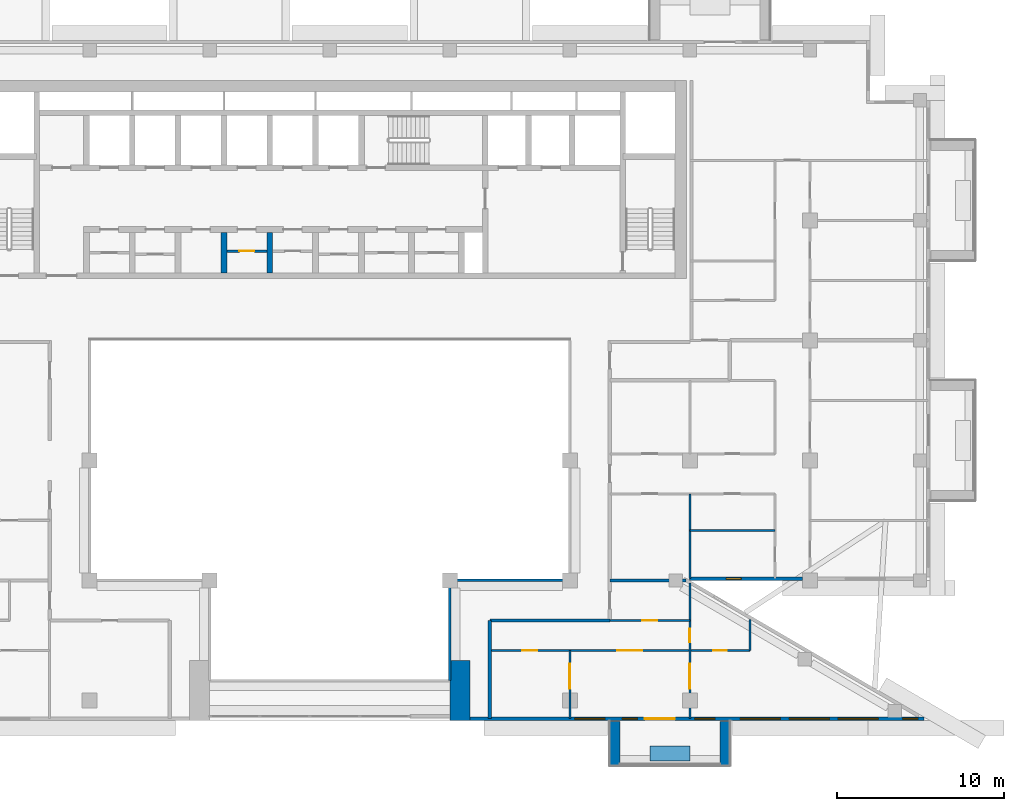
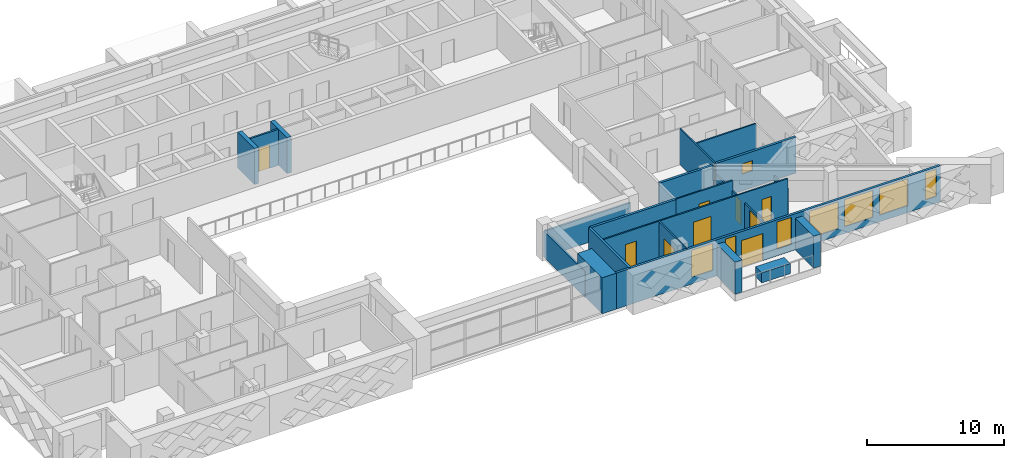
# One storey, part 8 of 20: 21 walls, 9 doors, 8 windows, 17 openings.
"""IFC4 building model written with IfcOpenShell, lengths in metres."""

from ifc_helpers import new_model, si_unit, direction, frame, frame_2d, origin, place, context, subcontext, project, spatial, rectangle, extrude, material, layer, layer_set, type_object, element, fill, save


model = new_model("IFC4")

# Units and contexts
model_context = context("Model", 3, precision=1e-05, world=origin(), true_north=direction((0.0, 1.0)))
body_context = subcontext(model_context, "Body", "Model", "MODEL_VIEW")
ifc_project = project(units=[si_unit("LENGTHUNIT", "METRE"), si_unit("AREAUNIT", "SQUARE_METRE"), si_unit("VOLUMEUNIT", "CUBIC_METRE"), si_unit("PLANEANGLEUNIT", "RADIAN"), si_unit("MASSUNIT", "GRAM", prefix="KILO")], contexts=[model_context])

# Site, building, storey
site_placement = place(None, origin())
site = spatial("IfcSite", under=ifc_project, at=site_placement, CompositionType="ELEMENT")
building_placement = place(site_placement, origin())
building = spatial("IfcBuilding", under=site, at=building_placement, Name="Saffron Iwan Residences", CompositionType="ELEMENT")
storey_placement = place(building_placement, frame((0.0, 0.0, 185.0)))
storey = spatial("IfcBuildingStorey", under=building, at=storey_placement, Name="L49", CompositionType="ELEMENT", Elevation=185.0)

# Walls
ifc_material_1 = material(Name="Fire-rated glazing", Category="glass")
ifc_layer_1 = layer(ifc_material_1, 0.14990234375)
ifc_layer_set_1 = layer_set([ifc_layer_1], Name="Fire-rated glazing")
wall_type_1 = type_object("IfcWallType", Name="Atrium glazed screen 150", PredefinedType="SOLIDWALL", material=ifc_layer_set_1)
wall_1_placement = place(storey_placement, frame((57.60009765625, 48.0, 0.0), z_axis=(0.0, 0.0, 1.0), x_axis=(1.0, 0.0, 0.0)))
element("IfcWall", 1, at=wall_1_placement, inside=storey, type_object=wall_type_1, Name="W-L49-SCREEN-h48-57.6", PredefinedType="SOLIDWALL", context=body_context, shape_type="SweptSolid", body=[
    extrude(rectangle(XDim=7.199951171875, YDim=0.14990234375, at=frame_2d((3.60009765625, 0.0))), origin(), (0.0, 0.0, 1.0), 2.300048828125),
])
wall_2_placement = place(storey_placement, frame((57.60009765625, 42.0, 0.0), z_axis=(0.0, 0.0, 1.0), x_axis=(0.0, 1.0, 0.0)))
element("IfcWall", 2, at=wall_2_placement, inside=storey, type_object=wall_type_1, Name="W-L49-SCREEN-v57.6-42", PredefinedType="SOLIDWALL", context=body_context, shape_type="SweptSolid", body=[
    extrude(rectangle(XDim=6.0, YDim=0.14990234375, at=frame_2d((3.0, 0.0))), origin(), (0.0, 0.0, 1.0), 2.300048828125),
])
ifc_material_2 = material(Name="Concrete C50/60 white painted", Category="concrete")
ifc_layer_2 = layer(ifc_material_2, 0.60009765625)
ifc_layer_set_2 = layer_set([ifc_layer_2], Name="Concrete C50/60 white painted")
wall_type_2 = type_object("IfcWallType", Name="BALCONY FIN 600", PredefinedType="SOLIDWALL", material=ifc_layer_set_2)
for number, where, z_axis, x_axis, name in (
    (3, (67.5, 39.550048828125, 0.0), (0.0, 0.0, 1.0), (0.0, -1.0, 0.0), "Balcony fin L49 11-1a"),
    (4, (74.10009765625, 39.550048828125, 0.0), (0.0, 0.0, 1.0), (0.0, -1.0, 0.0), "Balcony fin L49 11-1b"),
):
    element("IfcWall", number, at=place(storey_placement, frame(where, z_axis=z_axis, x_axis=x_axis)), inside=storey, type_object=wall_type_2, Name=name, PredefinedType="SOLIDWALL", context=body_context, shape_type="SweptSolid", body=[
        extrude(rectangle(XDim=2.650146484375, YDim=0.60009765625, at=frame_2d((1.3251953125, 0.0))), origin(), (0.0, 0.0, 1.0), 2.85009765625),
    ])
ifc_material_3 = material(Name="Concrete C35/45 white painted", Category="concrete")
ifc_layer_3 = layer(ifc_material_3, 0.14990234375)
ifc_layer_set_3 = layer_set([ifc_layer_3], Name="Concrete C35/45 white painted")
wall_type_3 = type_object("IfcWallType", Name="BALCONY PLANTER", PredefinedType="SOLIDWALL", material=ifc_layer_set_3)
wall_3_placement = place(storey_placement, frame((69.60009765625, 37.625, 0.0), z_axis=(0.0, 0.0, 1.0), x_axis=(1.0, 0.0, 0.0)))
element("IfcWall", 5, at=wall_3_placement, inside=storey, type_object=wall_type_3, Name="PLANTER L49 11-1", PredefinedType="SOLIDWALL", context=body_context, shape_type="SweptSolid", body=[
    extrude(rectangle(XDim=2.39990234375, YDim=0.89990234375, at=frame_2d((1.199951171875, 0.0))), origin(), (0.0, 0.0, 1.0), 0.89990234375),
])

# Wall, opening, door
ifc_material_4 = material(Name="Fire-rated plasterboard partition")
ifc_layer_4 = layer(ifc_material_4, 0.14990234375)
ifc_layer_set_4 = layer_set([ifc_layer_4], Name="Fire-rated plasterboard partition")
wall_type_4 = type_object("IfcWallType", Name="Core partition 150", PredefinedType="PARTITIONING", material=ifc_layer_set_4)
wall_4_placement = place(storey_placement, frame((44.22509765625, 67.759521484375, 0.0), z_axis=(0.0, 0.0, 1.0), x_axis=(1.0, 0.0, 0.0)))
wall_4 = element("IfcWall", 6, at=wall_4_placement, inside=storey, type_object=wall_type_4, Name="Core partition P03", PredefinedType="PARTITIONING", context=body_context, shape_type="SweptSolid", body=[
    extrude(rectangle(XDim=2.39990234375, YDim=0.14990234375, at=frame_2d((1.199951171875, 0.0))), origin(), (0.0, 0.0, 1.0), 3.199951171875),
])
opening_1_placement = place(wall_4_placement, frame((0.75, 0.0, 0.0)))
opening_1 = element("IfcOpeningElement", 7, at=opening_1_placement, cuts=wall_4, Name="Opening SB", PredefinedType="OPENING", context=body_context, shape_type="SweptSolid", body=[
    extrude(rectangle(XDim=0.89990234375, YDim=2.10009765625, at=frame_2d((0.449951171875, 1.050048828125))), frame((0.0, 0.0849609375, 0.0), z_axis=(0.0, -1.0, 0.0), x_axis=(1.0, 0.0, 0.0)), (0.0, 0.0, 1.0), 0.169921875),
])
ifc_material_5 = material(Name="Steel fire door", Category="steel")
door_type_1 = type_object("IfcDoorType", Name="Store door 900", OperationType="NOTDEFINED", PredefinedType="DOOR", material=ifc_material_5)
door_1_placement = place(opening_1_placement, origin())
door_1 = element("IfcDoor", 8, at=door_1_placement, inside=storey, type_object=door_type_1, Name="Door Records store", OperationType="SINGLE_SWING_RIGHT", OverallHeight=2.10009765625, OverallWidth=0.89990234375, PredefinedType="DOOR", context=body_context, shape_type="SweptSolid", body=[
    extrude(rectangle(XDim=0.89990234375, YDim=2.10009765625, at=frame_2d((0.449951171875, 1.050048828125))), frame((0.0, 0.02490234375, 0.0), z_axis=(0.0, -1.0, 0.0), x_axis=(1.0, 0.0, 0.0)), (0.0, 0.0, 1.0), 0.050048828125),
])
fill(opening_1, door_1)

# Wall, opening, window
ifc_material_6 = material(Name="Concrete C40/50", Category="concrete")
ifc_layer_5 = layer(ifc_material_6, 0.199951171875)
ifc_layer_set_5 = layer_set([ifc_layer_5], Name="Concrete C40/50")
wall_type_5 = type_object("IfcWallType", Name="EXTERNAL WALL 200", PredefinedType="SOLIDWALL", material=ifc_layer_set_5)
wall_5_placement = place(storey_placement, frame((71.989990234375, 48.10009765625, 0.0), z_axis=(0.0, 0.0, 1.0), x_axis=(1.0, 0.0, 0.0)))
wall_5 = element("IfcWall", 9, at=wall_5_placement, inside=storey, type_object=wall_type_5, Name="External wall L49 F1.0", PredefinedType="SOLIDWALL", context=body_context, shape_type="SweptSolid", body=[
    extrude(rectangle(XDim=6.760009765625, YDim=0.199951171875, at=frame_2d((3.3798828125, 0.0))), origin(), (0.0, 0.0, 1.0), 3.199951171875),
])
opening_2_placement = place(wall_5_placement, frame((2.204833984375, 0.0, 1.5)))
opening_2 = element("IfcOpeningElement", 10, at=opening_2_placement, cuts=wall_5, Name="Opening W6", PredefinedType="OPENING", context=body_context, shape_type="SweptSolid", body=[
    extrude(rectangle(XDim=0.89990234375, YDim=0.89990234375, at=frame_2d((0.449951171875, 0.449951171875))), frame((0.0, 0.10986328125, 0.0), z_axis=(0.0, -1.0, 0.0), x_axis=(1.0, 0.0, 0.0)), (0.0, 0.0, 1.0), 0.219970703125),
])
ifc_material_7 = material(Name="Clear glass, laminated double glazed", Category="glass")
window_type_1 = type_object("IfcWindowType", Name="WINDOW 900 x 900 BATH", PartitioningType="SINGLE_PANEL", PredefinedType="WINDOW", material=ifc_material_7)
window_1_placement = place(opening_2_placement, origin())
window_1 = element("IfcWindow", 11, at=window_1_placement, inside=storey, type_object=window_type_1, Name="Window L49 F1.0", OverallHeight=0.89990234375, OverallWidth=0.89990234375, PartitioningType="SINGLE_PANEL", PredefinedType="WINDOW", context=body_context, shape_type="SweptSolid", body=[
    extrude(rectangle(XDim=0.89990234375, YDim=0.89990234375, at=frame_2d((0.449951171875, 0.449951171875))), frame((0.0, 0.030029296875, 0.0), z_axis=(0.0, -1.0, 0.0), x_axis=(1.0, 0.0, 0.0)), (0.0, 0.0, 1.0), 0.06005859375),
])
fill(opening_2, window_1)

# Wall, openings, door, windows
wall_6_placement = place(storey_placement, frame((58.800048828125, 39.699951171875, 0.0), z_axis=(0.0, 0.0, 1.0), x_axis=(1.0, 0.0, 0.0)))
wall_6 = element("IfcWall", 12, at=wall_6_placement, inside=storey, type_object=wall_type_5, Name="External wall L49 F11.1", PredefinedType="SOLIDWALL", context=body_context, shape_type="SweptSolid", body=[
    extrude(rectangle(XDim=27.22998046875, YDim=0.199951171875, at=frame_2d((13.614990234375, 0.0))), origin(), (0.0, 0.0, 1.0), 3.199951171875),
])
opening_3_placement = place(wall_6_placement, frame((10.5, 0.0, 0.0)))
opening_3 = element("IfcOpeningElement", 13, at=opening_3_placement, cuts=wall_6, Name="Opening BD1", PredefinedType="OPENING", context=body_context, shape_type="SweptSolid", body=[
    extrude(rectangle(XDim=1.800048828125, YDim=2.39990234375, at=frame_2d((0.89990234375, 1.199951171875))), frame((0.0, 0.10986328125, 0.0), z_axis=(0.0, -1.0, 0.0), x_axis=(1.0, 0.0, 0.0)), (0.0, 0.0, 1.0), 0.219970703125),
])
opening_4_placement = place(wall_6_placement, frame((6.300048828125, 0.0, 0.60009765625)))
opening_4 = element("IfcOpeningElement", 14, at=opening_4_placement, cuts=wall_6, Name="Opening W8", PredefinedType="OPENING", context=body_context, shape_type="SweptSolid", body=[
    extrude(rectangle(XDim=1.800048828125, YDim=2.39990234375, at=frame_2d((0.89990234375, 1.199951171875))), frame((0.0, 0.10986328125, 0.0), z_axis=(0.0, -1.0, 0.0), x_axis=(1.0, 0.0, 0.0)), (0.0, 0.0, 1.0), 0.219970703125),
])
opening_5_placement = place(wall_6_placement, frame((9.14990234375, 0.0, 0.60009765625)))
opening_5 = element("IfcOpeningElement", 15, at=opening_5_placement, cuts=wall_6, Name="Opening W10", PredefinedType="OPENING", context=body_context, shape_type="SweptSolid", body=[
    extrude(rectangle(XDim=0.89990234375, YDim=2.39990234375, at=frame_2d((0.449951171875, 1.199951171875))), frame((0.0, 0.10986328125, 0.0), z_axis=(0.0, -1.0, 0.0), x_axis=(1.0, 0.0, 0.0)), (0.0, 0.0, 1.0), 0.219970703125),
])
opening_6_placement = place(wall_6_placement, frame((13.5, 0.0, 0.60009765625)))
opening_6 = element("IfcOpeningElement", 16, at=opening_6_placement, cuts=wall_6, Name="Opening W3", PredefinedType="OPENING", context=body_context, shape_type="SweptSolid", body=[
    extrude(rectangle(XDim=1.199951171875, YDim=2.39990234375, at=frame_2d((0.60009765625, 1.199951171875))), frame((0.0, 0.10986328125, 0.0), z_axis=(0.0, -1.0, 0.0), x_axis=(1.0, 0.0, 0.0)), (0.0, 0.0, 1.0), 0.219970703125),
])
opening_7_placement = place(wall_6_placement, frame((16.2314453125, 0.0, 0.60009765625)))
opening_7 = element("IfcOpeningElement", 17, at=opening_7_placement, cuts=wall_6, Name="Opening W1", PredefinedType="OPENING", context=body_context, shape_type="SweptSolid", body=[
    extrude(rectangle(XDim=2.39990234375, YDim=2.39990234375, at=frame_2d((1.199951171875, 1.199951171875))), frame((0.0, 0.10986328125, 0.0), z_axis=(0.0, -1.0, 0.0), x_axis=(1.0, 0.0, 0.0)), (0.0, 0.0, 1.0), 0.219970703125),
])
opening_8_placement = place(wall_6_placement, frame((19.1630859375, 0.0, 0.60009765625)))
opening_8 = element("IfcOpeningElement", 18, at=opening_8_placement, cuts=wall_6, Name="Opening W1", PredefinedType="OPENING", context=body_context, shape_type="SweptSolid", body=[
    extrude(rectangle(XDim=2.39990234375, YDim=2.39990234375, at=frame_2d((1.199951171875, 1.199951171875))), frame((0.0, 0.10986328125, 0.0), z_axis=(0.0, -1.0, 0.0), x_axis=(1.0, 0.0, 0.0)), (0.0, 0.0, 1.0), 0.219970703125),
])
opening_9_placement = place(wall_6_placement, frame((22.094482421875, 0.0, 0.60009765625)))
opening_9 = element("IfcOpeningElement", 19, at=opening_9_placement, cuts=wall_6, Name="Opening W1", PredefinedType="OPENING", context=body_context, shape_type="SweptSolid", body=[
    extrude(rectangle(XDim=2.39990234375, YDim=2.39990234375, at=frame_2d((1.199951171875, 1.199951171875))), frame((0.0, 0.10986328125, 0.0), z_axis=(0.0, -1.0, 0.0), x_axis=(1.0, 0.0, 0.0)), (0.0, 0.0, 1.0), 0.219970703125),
])
opening_10_placement = place(wall_6_placement, frame((25.978271484375, 0.0, 0.60009765625)))
opening_10 = element("IfcOpeningElement", 20, at=opening_10_placement, cuts=wall_6, Name="Opening W10", PredefinedType="OPENING", context=body_context, shape_type="SweptSolid", body=[
    extrude(rectangle(XDim=0.89990234375, YDim=2.39990234375, at=frame_2d((0.449951171875, 1.199951171875))), frame((0.0, 0.10986328125, 0.0), z_axis=(0.0, -1.0, 0.0), x_axis=(1.0, 0.0, 0.0)), (0.0, 0.0, 1.0), 0.219970703125),
])
door_type_2 = type_object("IfcDoorType", Name="BALCONY DOOR 1800 x 2400", OperationType="DOUBLE_DOOR_SLIDING", PredefinedType="DOOR", material=ifc_material_7)
door_2_placement = place(opening_3_placement, origin())
door_2 = element("IfcDoor", 21, at=door_2_placement, inside=storey, type_object=door_type_2, Name="Balcony door L49 F11.0", OperationType="DOUBLE_DOOR_SLIDING", OverallHeight=2.39990234375, OverallWidth=1.800048828125, PredefinedType="DOOR", context=body_context, shape_type="SweptSolid", body=[
    extrude(rectangle(XDim=1.800048828125, YDim=2.39990234375, at=frame_2d((0.89990234375, 1.199951171875))), frame((0.0, 0.02490234375, 0.0), z_axis=(0.0, -1.0, 0.0), x_axis=(1.0, 0.0, 0.0)), (0.0, 0.0, 1.0), 0.050048828125),
])
fill(opening_3, door_2)
window_type_2 = type_object("IfcWindowType", Name="WINDOW 1200 x 2400", PartitioningType="SINGLE_PANEL", PredefinedType="WINDOW", material=ifc_material_7)
window_2_placement = place(opening_6_placement, origin())
window_2 = element("IfcWindow", 22, at=window_2_placement, inside=storey, type_object=window_type_2, Name="Window L49 F11.3", OverallHeight=2.39990234375, OverallWidth=1.199951171875, PartitioningType="SINGLE_PANEL", PredefinedType="WINDOW", context=body_context, shape_type="SweptSolid", body=[
    extrude(rectangle(XDim=1.199951171875, YDim=2.39990234375, at=frame_2d((0.60009765625, 1.199951171875))), frame((0.0, 0.030029296875, 0.0), z_axis=(0.0, -1.0, 0.0), x_axis=(1.0, 0.0, 0.0)), (0.0, 0.0, 1.0), 0.06005859375),
])
fill(opening_6, window_2)
window_type_3 = type_object("IfcWindowType", Name="WINDOW 1800 x 2400", PartitioningType="DOUBLE_PANEL_VERTICAL", PredefinedType="WINDOW", material=ifc_material_7)
window_3_placement = place(opening_4_placement, origin())
window_3 = element("IfcWindow", 23, at=window_3_placement, inside=storey, type_object=window_type_3, Name="Window L49 F11.1", OverallHeight=2.39990234375, OverallWidth=1.800048828125, PartitioningType="DOUBLE_PANEL_VERTICAL", PredefinedType="WINDOW", context=body_context, shape_type="SweptSolid", body=[
    extrude(rectangle(XDim=1.800048828125, YDim=2.39990234375, at=frame_2d((0.89990234375, 1.199951171875))), frame((0.0, 0.030029296875, 0.0), z_axis=(0.0, -1.0, 0.0), x_axis=(1.0, 0.0, 0.0)), (0.0, 0.0, 1.0), 0.06005859375),
])
fill(opening_4, window_3)
window_type_4 = type_object("IfcWindowType", Name="WINDOW 2400 x 2400", PartitioningType="DOUBLE_PANEL_VERTICAL", PredefinedType="WINDOW", material=ifc_material_7)
window_4_placement = place(opening_7_placement, origin())
window_4 = element("IfcWindow", 24, at=window_4_placement, inside=storey, type_object=window_type_4, Name="Window L49 F11.4", OverallHeight=2.39990234375, OverallWidth=2.39990234375, PartitioningType="DOUBLE_PANEL_VERTICAL", PredefinedType="WINDOW", context=body_context, shape_type="SweptSolid", body=[
    extrude(rectangle(XDim=2.39990234375, YDim=2.39990234375, at=frame_2d((1.199951171875, 1.199951171875))), frame((0.0, 0.030029296875, 0.0), z_axis=(0.0, -1.0, 0.0), x_axis=(1.0, 0.0, 0.0)), (0.0, 0.0, 1.0), 0.06005859375),
])
fill(opening_7, window_4)
window_5_placement = place(opening_8_placement, origin())
window_5 = element("IfcWindow", 25, at=window_5_placement, inside=storey, type_object=window_type_4, Name="Window L49 F11.5", OverallHeight=2.39990234375, OverallWidth=2.39990234375, PartitioningType="DOUBLE_PANEL_VERTICAL", PredefinedType="WINDOW", context=body_context, shape_type="SweptSolid", body=[
    extrude(rectangle(XDim=2.39990234375, YDim=2.39990234375, at=frame_2d((1.199951171875, 1.199951171875))), frame((0.0, 0.030029296875, 0.0), z_axis=(0.0, -1.0, 0.0), x_axis=(1.0, 0.0, 0.0)), (0.0, 0.0, 1.0), 0.06005859375),
])
fill(opening_8, window_5)
window_6_placement = place(opening_9_placement, origin())
window_6 = element("IfcWindow", 26, at=window_6_placement, inside=storey, type_object=window_type_4, Name="Window L49 F11.6", OverallHeight=2.39990234375, OverallWidth=2.39990234375, PartitioningType="DOUBLE_PANEL_VERTICAL", PredefinedType="WINDOW", context=body_context, shape_type="SweptSolid", body=[
    extrude(rectangle(XDim=2.39990234375, YDim=2.39990234375, at=frame_2d((1.199951171875, 1.199951171875))), frame((0.0, 0.030029296875, 0.0), z_axis=(0.0, -1.0, 0.0), x_axis=(1.0, 0.0, 0.0)), (0.0, 0.0, 1.0), 0.06005859375),
])
fill(opening_9, window_6)
window_type_5 = type_object("IfcWindowType", Name="WINDOW 900 x 2400", PartitioningType="SINGLE_PANEL", PredefinedType="WINDOW", material=ifc_material_7)
window_7_placement = place(opening_5_placement, origin())
window_7 = element("IfcWindow", 27, at=window_7_placement, inside=storey, type_object=window_type_5, Name="Window L49 F11.2", OverallHeight=2.39990234375, OverallWidth=0.89990234375, PartitioningType="SINGLE_PANEL", PredefinedType="WINDOW", context=body_context, shape_type="SweptSolid", body=[
    extrude(rectangle(XDim=0.89990234375, YDim=2.39990234375, at=frame_2d((0.449951171875, 1.199951171875))), frame((0.0, 0.030029296875, 0.0), z_axis=(0.0, -1.0, 0.0), x_axis=(1.0, 0.0, 0.0)), (0.0, 0.0, 1.0), 0.06005859375),
])
fill(opening_5, window_7)
window_8_placement = place(opening_10_placement, origin())
window_8 = element("IfcWindow", 28, at=window_8_placement, inside=storey, type_object=window_type_5, Name="Window L49 F11.7", OverallHeight=2.39990234375, OverallWidth=0.89990234375, PartitioningType="SINGLE_PANEL", PredefinedType="WINDOW", context=body_context, shape_type="SweptSolid", body=[
    extrude(rectangle(XDim=0.89990234375, YDim=2.39990234375, at=frame_2d((0.449951171875, 1.199951171875))), frame((0.0, 0.030029296875, 0.0), z_axis=(0.0, -1.0, 0.0), x_axis=(1.0, 0.0, 0.0)), (0.0, 0.0, 1.0), 0.06005859375),
])
fill(opening_10, window_8)

# Wall
ifc_material_8 = material(Name="Fire-rated gypsum board wall")
ifc_layer_6 = layer(ifc_material_8, 0.199951171875)
ifc_layer_set_6 = layer_set([ifc_layer_6], Name="Fire-rated gypsum board wall")
wall_type_6 = type_object("IfcWallType", Name="Flat demising wall 200", PredefinedType="SOLIDWALL", material=ifc_layer_set_6)
wall_7_placement = place(storey_placement, frame((67.199951171875, 48.0, 0.0), z_axis=(0.0, 0.0, 1.0), x_axis=(1.0, 0.0, 0.0)))
element("IfcWall", 29, at=wall_7_placement, inside=storey, type_object=wall_type_6, Name="W-L49-DEMISE-h48-67.2", PredefinedType="SOLIDWALL", context=body_context, shape_type="SweptSolid", body=[
    extrude(rectangle(XDim=4.552001953125, YDim=0.199951171875, at=frame_2d((2.27587890625, 0.0))), origin(), (0.0, 0.0, 1.0), 3.199951171875),
])

# Wall, openings, doors
ifc_material_9 = material(Name="Gypsum board partition")
ifc_layer_7 = layer(ifc_material_9, 0.1201171875)
ifc_layer_set_7 = layer_set([ifc_layer_7], Name="Gypsum board partition")
wall_type_7 = type_object("IfcWallType", Name="Flat partition 120", PredefinedType="PARTITIONING", material=ifc_layer_set_7)
wall_8_placement = place(storey_placement, frame((60.0, 43.800048828125, 0.0), z_axis=(0.0, 0.0, 1.0), x_axis=(1.0, 0.0, 0.0)))
wall_8 = element("IfcWall", 30, at=wall_8_placement, inside=storey, type_object=wall_type_7, Name="W-L49-PART-h43.8-60", PredefinedType="PARTITIONING", context=body_context, shape_type="SweptSolid", body=[
    extrude(rectangle(XDim=15.60009765625, YDim=0.1201171875, at=frame_2d((7.800048828125, 0.0))), origin(), (0.0, 0.0, 1.0), 3.199951171875),
])
opening_11_placement = place(wall_8_placement, frame((7.64990234375, 0.0, 0.0)))
opening_11 = element("IfcOpeningElement", 31, at=opening_11_placement, cuts=wall_8, Name="Opening FD4", PredefinedType="OPENING", context=body_context, shape_type="SweptSolid", body=[
    extrude(rectangle(XDim=1.5, YDim=2.10009765625, at=frame_2d((0.75, 1.050048828125))), frame((0.0, 0.070068359375, 0.0), z_axis=(0.0, -1.0, 0.0), x_axis=(1.0, 0.0, 0.0)), (0.0, 0.0, 1.0), 0.14013671875),
])
opening_12_placement = place(wall_8_placement, frame((1.949951171875, 0.0, 0.0)))
opening_12 = element("IfcOpeningElement", 32, at=opening_12_placement, cuts=wall_8, Name="Opening FD2", PredefinedType="OPENING", context=body_context, shape_type="SweptSolid", body=[
    extrude(rectangle(XDim=0.89990234375, YDim=2.10009765625, at=frame_2d((0.449951171875, 1.050048828125))), frame((0.0, 0.070068359375, 0.0), z_axis=(0.0, -1.0, 0.0), x_axis=(1.0, 0.0, 0.0)), (0.0, 0.0, 1.0), 0.14013671875),
])
opening_13_placement = place(wall_8_placement, frame((13.39990234375, 0.0, 0.0)))
opening_13 = element("IfcOpeningElement", 33, at=opening_13_placement, cuts=wall_8, Name="Opening FD3", PredefinedType="OPENING", context=body_context, shape_type="SweptSolid", body=[
    extrude(rectangle(XDim=0.800048828125, YDim=2.10009765625, at=frame_2d((0.39990234375, 1.050048828125))), frame((0.0, 0.070068359375, 0.0), z_axis=(0.0, -1.0, 0.0), x_axis=(1.0, 0.0, 0.0)), (0.0, 0.0, 1.0), 0.14013671875),
])
ifc_material_10 = material(Name="Timber door", Category="wood")
door_type_3 = type_object("IfcDoorType", Name="Bathroom door 800", OperationType="NOTDEFINED", PredefinedType="DOOR", material=ifc_material_10)
door_3_placement = place(opening_13_placement, origin())
door_3 = element("IfcDoor", 34, at=door_3_placement, inside=storey, type_object=door_type_3, Name="Door L49-049", OperationType="SINGLE_SWING_LEFT", OverallHeight=2.10009765625, OverallWidth=0.800048828125, PredefinedType="DOOR", context=body_context, shape_type="SweptSolid", body=[
    extrude(rectangle(XDim=0.800048828125, YDim=2.10009765625, at=frame_2d((0.39990234375, 1.050048828125))), frame((0.0, 0.02490234375, 0.0), z_axis=(0.0, -1.0, 0.0), x_axis=(1.0, 0.0, 0.0)), (0.0, 0.0, 1.0), 0.050048828125),
])
fill(opening_13, door_3)
door_type_4 = type_object("IfcDoorType", Name="Double door 1500", OperationType="NOTDEFINED", PredefinedType="DOOR", material=ifc_material_10)
door_4_placement = place(opening_11_placement, origin())
door_4 = element("IfcDoor", 35, at=door_4_placement, inside=storey, type_object=door_type_4, Name="Door L49-045", OperationType="SINGLE_SWING_RIGHT", OverallHeight=2.10009765625, OverallWidth=1.5, PredefinedType="DOOR", context=body_context, shape_type="SweptSolid", body=[
    extrude(rectangle(XDim=1.5, YDim=2.10009765625, at=frame_2d((0.75, 1.050048828125))), frame((0.0, 0.02490234375, 0.0), z_axis=(0.0, -1.0, 0.0), x_axis=(1.0, 0.0, 0.0)), (0.0, 0.0, 1.0), 0.050048828125),
])
fill(opening_11, door_4)
door_type_5 = type_object("IfcDoorType", Name="Flat door 900", OperationType="NOTDEFINED", PredefinedType="DOOR", material=ifc_material_10)
door_5_placement = place(opening_12_placement, origin())
door_5 = element("IfcDoor", 36, at=door_5_placement, inside=storey, type_object=door_type_5, Name="Door L49-046", OperationType="SINGLE_SWING_LEFT", OverallHeight=2.10009765625, OverallWidth=0.89990234375, PredefinedType="DOOR", context=body_context, shape_type="SweptSolid", body=[
    extrude(rectangle(XDim=0.89990234375, YDim=2.10009765625, at=frame_2d((0.449951171875, 1.050048828125))), frame((0.0, 0.02490234375, 0.0), z_axis=(0.0, -1.0, 0.0), x_axis=(1.0, 0.0, 0.0)), (0.0, 0.0, 1.0), 0.050048828125),
])
fill(opening_12, door_5)

# Wall, opening, door
wall_9_placement = place(storey_placement, frame((67.199951171875, 45.60009765625, 0.0), z_axis=(0.0, 0.0, 1.0), x_axis=(1.0, 0.0, 0.0)))
wall_9 = element("IfcWall", 37, at=wall_9_placement, inside=storey, type_object=wall_type_7, Name="W-L49-PART-h45.6-67.2", PredefinedType="PARTITIONING", context=body_context, shape_type="SweptSolid", body=[
    extrude(rectangle(XDim=4.800048828125, YDim=0.1201171875, at=frame_2d((2.39990234375, 0.0))), origin(), (0.0, 0.0, 1.0), 3.199951171875),
])
opening_14_placement = place(wall_9_placement, frame((1.949951171875, 0.0, 0.0)))
opening_14 = element("IfcOpeningElement", 38, at=opening_14_placement, cuts=wall_9, Name="Opening FD2", PredefinedType="OPENING", context=body_context, shape_type="SweptSolid", body=[
    extrude(rectangle(XDim=0.89990234375, YDim=2.10009765625, at=frame_2d((0.449951171875, 1.050048828125))), frame((0.0, 0.070068359375, 0.0), z_axis=(0.0, -1.0, 0.0), x_axis=(1.0, 0.0, 0.0)), (0.0, 0.0, 1.0), 0.14013671875),
])
door_6_placement = place(opening_14_placement, origin())
door_6 = element("IfcDoor", 39, at=door_6_placement, inside=storey, type_object=door_type_5, Name="Door L49-043", OperationType="SINGLE_SWING_LEFT", OverallHeight=2.10009765625, OverallWidth=0.89990234375, PredefinedType="DOOR", context=body_context, shape_type="SweptSolid", body=[
    extrude(rectangle(XDim=0.89990234375, YDim=2.10009765625, at=frame_2d((0.449951171875, 1.050048828125))), frame((0.0, 0.02490234375, 0.0), z_axis=(0.0, -1.0, 0.0), x_axis=(1.0, 0.0, 0.0)), (0.0, 0.0, 1.0), 0.050048828125),
])
fill(opening_14, door_6)

# Wall
wall_10_placement = place(storey_placement, frame((72.0, 51.0, 0.0), z_axis=(0.0, 0.0, 1.0), x_axis=(1.0, 0.0, 0.0)))
element("IfcWall", 40, at=wall_10_placement, inside=storey, type_object=wall_type_7, Name="W-L49-PART-h51-72", PredefinedType="PARTITIONING", context=body_context, shape_type="SweptSolid", body=[
    extrude(rectangle(XDim=5.10009765625, YDim=0.1201171875, at=frame_2d((2.550048828125, 0.0))), origin(), (0.0, 0.0, 1.0), 3.199951171875),
])

# Wall, opening, door
wall_11_placement = place(storey_placement, frame((64.800048828125, 39.72509765625, 0.0), z_axis=(0.0, 0.0, 1.0), x_axis=(0.0, 1.0, 0.0)))
wall_11 = element("IfcWall", 41, at=wall_11_placement, inside=storey, type_object=wall_type_7, Name="W-L49-PART-v64.8-39.725", PredefinedType="PARTITIONING", context=body_context, shape_type="SweptSolid", body=[
    extrude(rectangle(XDim=4.074951171875, YDim=0.1201171875, at=frame_2d((2.03759765625, 0.0))), origin(), (0.0, 0.0, 1.0), 3.199951171875),
])
opening_15_placement = place(wall_11_placement, frame((1.78759765625, 0.0, 0.0)))
opening_15 = element("IfcOpeningElement", 42, at=opening_15_placement, cuts=wall_11, Name="Opening FD4", PredefinedType="OPENING", context=body_context, shape_type="SweptSolid", body=[
    extrude(rectangle(XDim=1.5, YDim=2.10009765625, at=frame_2d((0.75, 1.050048828125))), frame((0.0, 0.070068359375, 0.0), z_axis=(0.0, -1.0, 0.0), x_axis=(1.0, 0.0, 0.0)), (0.0, 0.0, 1.0), 0.14013671875),
])
door_7_placement = place(opening_15_placement, origin())
door_7 = element("IfcDoor", 43, at=door_7_placement, inside=storey, type_object=door_type_4, Name="Door L49-042", OperationType="SINGLE_SWING_LEFT", OverallHeight=2.10009765625, OverallWidth=1.5, PredefinedType="DOOR", context=body_context, shape_type="SweptSolid", body=[
    extrude(rectangle(XDim=1.5, YDim=2.10009765625, at=frame_2d((0.75, 1.050048828125))), frame((0.0, 0.02490234375, 0.0), z_axis=(0.0, -1.0, 0.0), x_axis=(1.0, 0.0, 0.0)), (0.0, 0.0, 1.0), 0.050048828125),
])
fill(opening_15, door_7)

# Wall, openings, doors
wall_12_placement = place(storey_placement, frame((72.0, 39.72509765625, 0.0), z_axis=(0.0, 0.0, 1.0), x_axis=(0.0, 1.0, 0.0)))
wall_12 = element("IfcWall", 44, at=wall_12_placement, inside=storey, type_object=wall_type_7, Name="W-L49-PART-v72-39.725", PredefinedType="PARTITIONING", context=body_context, shape_type="SweptSolid", body=[
    extrude(rectangle(XDim=8.1298828125, YDim=0.1201171875, at=frame_2d((4.06494140625, 0.0))), origin(), (0.0, 0.0, 1.0), 2.300048828125),
])
opening_16_placement = place(wall_12_placement, frame((1.78759765625, 0.0, 0.0)))
opening_16 = element("IfcOpeningElement", 45, at=opening_16_placement, cuts=wall_12, Name="Opening FD4", PredefinedType="OPENING", context=body_context, shape_type="SweptSolid", body=[
    extrude(rectangle(XDim=1.5, YDim=2.10009765625, at=frame_2d((0.75, 1.050048828125))), frame((0.0, 0.070068359375, 0.0), z_axis=(0.0, -1.0, 0.0), x_axis=(1.0, 0.0, 0.0)), (0.0, 0.0, 1.0), 0.14013671875),
])
opening_17_placement = place(wall_12_placement, frame((4.574951171875, 0.0, 0.0)))
opening_17 = element("IfcOpeningElement", 46, at=opening_17_placement, cuts=wall_12, Name="Opening FD3", PredefinedType="OPENING", context=body_context, shape_type="SweptSolid", body=[
    extrude(rectangle(XDim=0.800048828125, YDim=2.10009765625, at=frame_2d((0.39990234375, 1.050048828125))), frame((0.0, 0.070068359375, 0.0), z_axis=(0.0, -1.0, 0.0), x_axis=(1.0, 0.0, 0.0)), (0.0, 0.0, 1.0), 0.14013671875),
])
door_8_placement = place(opening_17_placement, origin())
door_8 = element("IfcDoor", 47, at=door_8_placement, inside=storey, type_object=door_type_3, Name="Door L49-048", OperationType="SINGLE_SWING_RIGHT", OverallHeight=2.10009765625, OverallWidth=0.800048828125, PredefinedType="DOOR", context=body_context, shape_type="SweptSolid", body=[
    extrude(rectangle(XDim=0.800048828125, YDim=2.10009765625, at=frame_2d((0.39990234375, 1.050048828125))), frame((0.0, 0.02490234375, 0.0), z_axis=(0.0, -1.0, 0.0), x_axis=(1.0, 0.0, 0.0)), (0.0, 0.0, 1.0), 0.050048828125),
])
fill(opening_17, door_8)
door_9_placement = place(opening_16_placement, origin())
door_9 = element("IfcDoor", 48, at=door_9_placement, inside=storey, type_object=door_type_4, Name="Door L49-047", OperationType="SINGLE_SWING_RIGHT", OverallHeight=2.10009765625, OverallWidth=1.5, PredefinedType="DOOR", context=body_context, shape_type="SweptSolid", body=[
    extrude(rectangle(XDim=1.5, YDim=2.10009765625, at=frame_2d((0.75, 1.050048828125))), frame((0.0, 0.02490234375, 0.0), z_axis=(0.0, -1.0, 0.0), x_axis=(1.0, 0.0, 0.0)), (0.0, 0.0, 1.0), 0.050048828125),
])
fill(opening_16, door_9)

# Walls
wall_13_placement = place(storey_placement, frame((72.0, 48.125, 0.0), z_axis=(0.0, 0.0, 1.0), x_axis=(0.0, 1.0, 0.0)))
element("IfcWall", 49, at=wall_13_placement, inside=storey, type_object=wall_type_7, Name="W-L49-PART-v72-48.125", PredefinedType="PARTITIONING", context=body_context, shape_type="SweptSolid", body=[
    extrude(rectangle(XDim=5.074951171875, YDim=0.1201171875, at=frame_2d((2.53759765625, 0.0))), origin(), (0.0, 0.0, 1.0), 3.199951171875),
])
wall_14_placement = place(storey_placement, frame((75.60009765625, 43.800048828125, 0.0), z_axis=(0.0, 0.0, 1.0), x_axis=(0.0, 1.0, 0.0)))
element("IfcWall", 50, at=wall_14_placement, inside=storey, type_object=wall_type_7, Name="W-L49-PART-v75.6-43.8", PredefinedType="PARTITIONING", context=body_context, shape_type="SweptSolid", body=[
    extrude(rectangle(XDim=1.868408203125, YDim=0.1201171875, at=frame_2d((0.93408203125, 0.0))), origin(), (0.0, 0.0, 1.0), 2.300048828125),
])
ifc_layer_8 = layer(ifc_material_8, 0.199951171875)
ifc_layer_set_8 = layer_set([ifc_layer_8], Name="Fire-rated gypsum board wall")
wall_type_8 = type_object("IfcWallType", Name="Gallery wall 200", PredefinedType="SOLIDWALL", material=ifc_layer_set_8)
wall_15_placement = place(storey_placement, frame((60.0, 45.60009765625, 0.0), z_axis=(0.0, 0.0, 1.0), x_axis=(1.0, 0.0, 0.0)))
element("IfcWall", 51, at=wall_15_placement, inside=storey, type_object=wall_type_8, Name="W-L49-CORR-h45.6-60", PredefinedType="SOLIDWALL", context=body_context, shape_type="SweptSolid", body=[
    extrude(rectangle(XDim=7.199951171875, YDim=0.199951171875, at=frame_2d((3.60009765625, 0.0))), origin(), (0.0, 0.0, 1.0), 3.199951171875),
])
wall_16_placement = place(storey_placement, frame((60.0, 39.72509765625, 0.0), z_axis=(0.0, 0.0, 1.0), x_axis=(0.0, 1.0, 0.0)))
element("IfcWall", 52, at=wall_16_placement, inside=storey, type_object=wall_type_8, Name="W-L49-CORR-v60-39.725", PredefinedType="SOLIDWALL", context=body_context, shape_type="SweptSolid", body=[
    extrude(rectangle(XDim=5.875, YDim=0.199951171875, at=frame_2d((2.9375, 0.0))), origin(), (0.0, 0.0, 1.0), 3.199951171875),
])
ifc_material_11 = material(Name="Concrete C50/60", Category="concrete")
ifc_layer_9 = layer(ifc_material_11, 0.35009765625)
ifc_layer_set_9 = layer_set([ifc_layer_9], Name="Concrete C50/60")
wall_type_9 = type_object("IfcWallType", Name="WALL CORE 350 C50/60 3200 HIGH", PredefinedType="SHEAR", material=ifc_layer_set_9)
for number, where, z_axis, x_axis, name in (
    (53, (44.050048828125, 66.449951171875, 0.0), (0.0, 0.0, 1.0), (0.0, 1.0, 0.0), "Core wall"),
    (54, (46.800048828125, 66.449951171875, 0.0), (0.0, 0.0, 1.0), (0.0, 1.0, 0.0), "Core wall"),
):
    element("IfcWall", number, at=place(storey_placement, frame(where, z_axis=z_axis, x_axis=x_axis)), inside=storey, type_object=wall_type_9, Name=name, PredefinedType="SHEAR", context=body_context, shape_type="SweptSolid", body=[
        extrude(rectangle(XDim=2.425048828125, YDim=0.35009765625, at=frame_2d((1.21240234375, 0.0))), origin(), (0.0, 0.0, 1.0), 3.199951171875),
    ])
ifc_layer_10 = layer(ifc_material_11, 1.199951171875)
ifc_layer_set_10 = layer_set([ifc_layer_10], Name="Concrete C50/60")
wall_type_10 = type_object("IfcWallType", Name="WALL IWAN PIER 1200 C50/60 3200 HIGH", PredefinedType="SHEAR", material=ifc_layer_set_10)
wall_17_placement = place(storey_placement, frame((58.199951171875, 39.60009765625, 0.0), z_axis=(0.0, 0.0, 1.0), x_axis=(0.0, 1.0, 0.0)))
element("IfcWall", 55, at=wall_17_placement, inside=storey, type_object=wall_type_10, Name="IWAN PIER", PredefinedType="SHEAR", context=body_context, shape_type="SweptSolid", body=[
    extrude(rectangle(XDim=3.599853515625, YDim=1.199951171875, at=frame_2d((1.7998046875, 0.0))), origin(), (0.0, 0.0, 1.0), 3.199951171875),
])

save(model, "model.ifc")
